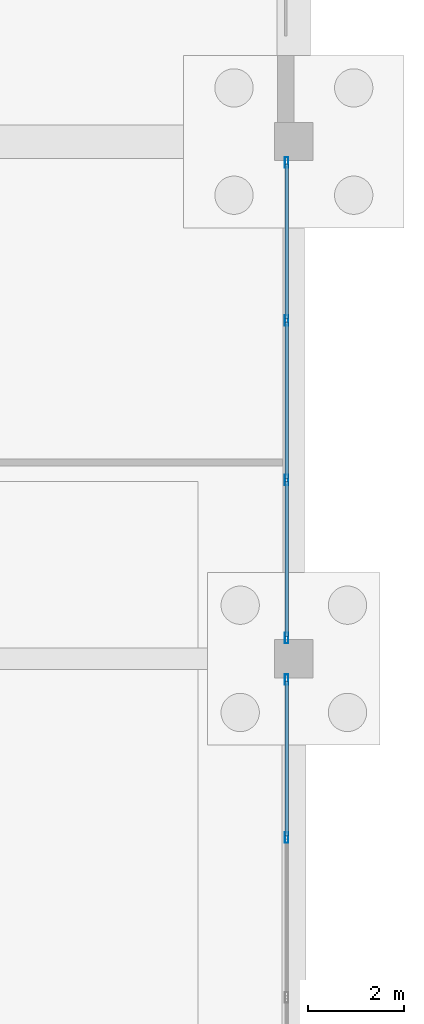
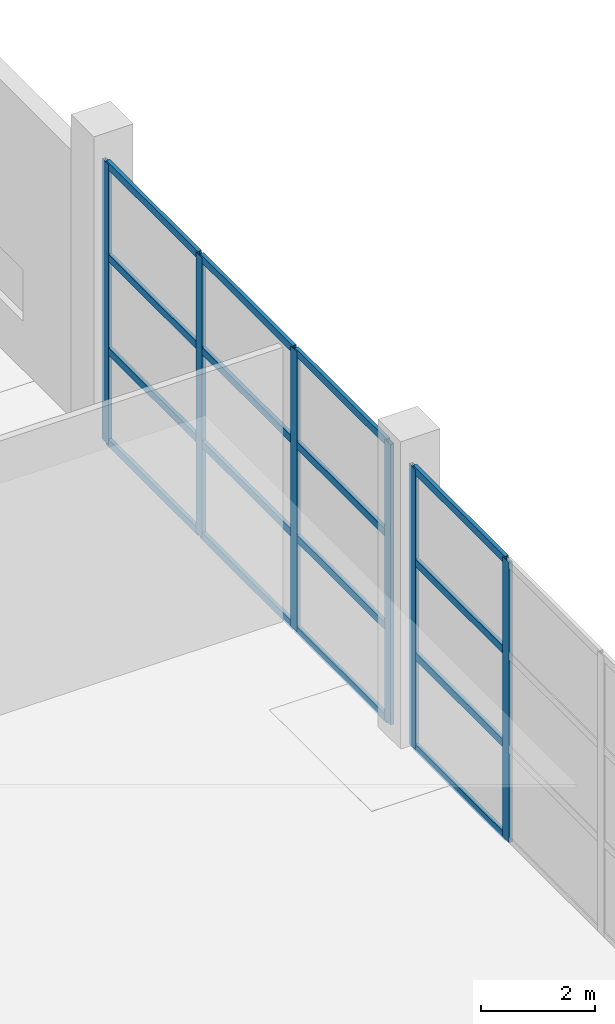
# One storey, part 73 of 115: 22 members, 2 elements without a shape of their own.
"""IFC4 building model written with IfcOpenShell, lengths in metres."""

from ifc_helpers import new_model, si_unit, direction, frame, origin, origin_2d, place, context, subcontext, project, spatial, hollow_rectangle, extrude, material, layer, layer_set, material_profile, profile_set, type_object, element, aggregate, save


model = new_model("IFC4")

# Units and contexts
model_context = context("Model", 3, precision=1e-05, world=origin(), true_north=direction((0.0, 1.0)))
body_context = subcontext(model_context, "Body", "Model", "MODEL_VIEW")
ifc_project = project(units=[si_unit("LENGTHUNIT", "METRE"), si_unit("AREAUNIT", "SQUARE_METRE"), si_unit("VOLUMEUNIT", "CUBIC_METRE"), si_unit("PLANEANGLEUNIT", "RADIAN"), si_unit("MASSUNIT", "GRAM", prefix="KILO")], contexts=[model_context])

# Site, building, storey
site_placement = place(None, origin())
site = spatial("IfcSite", under=ifc_project, at=site_placement, CompositionType="ELEMENT")
building_placement = place(site_placement, origin())
building = spatial("IfcBuilding", under=site, at=building_placement, Name="Tamarisk Ironworks Central Station", CompositionType="ELEMENT")
storey_placement = place(building_placement, origin())
storey = spatial("IfcBuildingStorey", under=building, at=storey_placement, Name="L00", CompositionType="ELEMENT", Elevation=0.0)

# Curtain wall, members
ifc_material = material(Name="Anodized aluminium alloy 6063-T6", Category="aluminium")
ifc_layer = layer(ifc_material, 0.179931640625)
ifc_layer_set = layer_set([ifc_layer], Name="Anodized aluminium alloy 6063-T6")
curtain_wall_type = type_object("IfcCurtainWallType", Name="CW-15", PredefinedType="USERDEFINED", material=ifc_layer_set)
curtain_wall_1_placement = place(storey_placement, origin())
curtain_wall_1 = element("IfcCurtainWall", 1, at=curtain_wall_1_placement, inside=storey, type_object=curtain_wall_type, Name="Operations L00 east facade curtain wall 090", ObjectType="GLAZED CURTAIN WALL", PredefinedType="USERDEFINED")
ifc_material_profile_1 = material_profile(ifc_material, hollow_rectangle(XDim=0.074951171875, YDim=0.219970703125, WallThickness=0.00390625, at=origin_2d()), Name="ALUM 220x75")
ifc_profile_set_1 = profile_set([ifc_material_profile_1], Name="Anodized aluminium alloy 6063-T6")
member_type_1 = type_object("IfcMemberType", Name="CWM-01", PredefinedType="MULLION", material=ifc_profile_set_1)
member_1_placement = place(storey_placement, frame((179.85009765625, 97.0673828125, 0.0), z_axis=(0.0, 0.0, 1.0), x_axis=(-1.0, 0.0, 0.0)))
member_1 = element("IfcMember", 2, at=member_1_placement, type_object=member_type_1, Name="CW15 mullion 3", PredefinedType="MULLION", context=body_context, shape_type="SweptSolid", body=[
    extrude(hollow_rectangle(XDim=0.074951171875, YDim=0.219970703125, WallThickness=0.00390625, at=origin_2d()), origin(), (0.0, 0.0, 1.0), 6.02001953125),
])
member_2_placement = place(storey_placement, frame((179.85009765625, 100.364501953125, 0.0), z_axis=(0.0, 0.0, 1.0), x_axis=(-1.0, 0.0, 0.0)))
member_2 = element("IfcMember", 3, at=member_2_placement, type_object=member_type_1, Name="CW15 mullion 4", PredefinedType="MULLION", context=body_context, shape_type="SweptSolid", body=[
    extrude(hollow_rectangle(XDim=0.074951171875, YDim=0.219970703125, WallThickness=0.00390625, at=origin_2d()), origin(), (0.0, 0.0, 1.0), 6.02001953125),
])

curtain_wall_2_placement = place(storey_placement, origin())
curtain_wall_2 = element("IfcCurtainWall", 4, at=curtain_wall_2_placement, inside=storey, type_object=curtain_wall_type, Name="Operations L00 east facade curtain wall 100", ObjectType="GLAZED CURTAIN WALL", PredefinedType="USERDEFINED")
member_3_placement = place(storey_placement, frame((179.85009765625, 101.235595703125, 0.0), z_axis=(0.0, 0.0, 1.0), x_axis=(-1.0, 0.0, 0.0)))
member_3 = element("IfcMember", 5, at=member_3_placement, type_object=member_type_1, Name="CW15 mullion 1", PredefinedType="MULLION", context=body_context, shape_type="SweptSolid", body=[
    extrude(hollow_rectangle(XDim=0.074951171875, YDim=0.219970703125, WallThickness=0.00390625, at=origin_2d()), origin(), (0.0, 0.0, 1.0), 6.02001953125),
])
member_4_placement = place(storey_placement, frame((179.85009765625, 104.53271484375, 0.0), z_axis=(0.0, 0.0, 1.0), x_axis=(-1.0, 0.0, 0.0)))
member_4 = element("IfcMember", 6, at=member_4_placement, type_object=member_type_1, Name="CW15 mullion 2", PredefinedType="MULLION", context=body_context, shape_type="SweptSolid", body=[
    extrude(hollow_rectangle(XDim=0.074951171875, YDim=0.219970703125, WallThickness=0.00390625, at=origin_2d()), origin(), (0.0, 0.0, 1.0), 6.02001953125),
])
member_5_placement = place(storey_placement, frame((179.85009765625, 107.867431640625, 0.0), z_axis=(0.0, 0.0, 1.0), x_axis=(-1.0, 0.0, 0.0)))
member_5 = element("IfcMember", 7, at=member_5_placement, type_object=member_type_1, Name="CW15 mullion 3", PredefinedType="MULLION", context=body_context, shape_type="SweptSolid", body=[
    extrude(hollow_rectangle(XDim=0.074951171875, YDim=0.219970703125, WallThickness=0.00390625, at=origin_2d()), origin(), (0.0, 0.0, 1.0), 6.02001953125),
])
member_6_placement = place(storey_placement, frame((179.85009765625, 111.16455078125, 0.0), z_axis=(0.0, 0.0, 1.0), x_axis=(-1.0, 0.0, 0.0)))
member_6 = element("IfcMember", 8, at=member_6_placement, type_object=member_type_1, Name="CW15 mullion 4", PredefinedType="MULLION", context=body_context, shape_type="SweptSolid", body=[
    extrude(hollow_rectangle(XDim=0.074951171875, YDim=0.219970703125, WallThickness=0.00390625, at=origin_2d()), origin(), (0.0, 0.0, 1.0), 6.02001953125),
])

# Member
ifc_material_profile_2 = material_profile(ifc_material, hollow_rectangle(XDim=0.074951171875, YDim=0.159912109375, WallThickness=0.00390625, at=origin_2d()), Name="ALUM 160x75")
ifc_profile_set_2 = profile_set([ifc_material_profile_2], Name="Anodized aluminium alloy 6063-T6")
member_type_2 = type_object("IfcMemberType", Name="CWT-01", PredefinedType="USERDEFINED", material=ifc_profile_set_2)
member_7_placement = place(storey_placement, frame((179.85009765625, 97.100830078125, 0.03759765625), z_axis=(0.0, 1.0, 0.0), x_axis=(-1.0, 0.0, 0.0)))
member_7 = element("IfcMember", 9, at=member_7_placement, type_object=member_type_2, Name="CW15 transom 3.1", ObjectType="TRANSOM", PredefinedType="USERDEFINED", context=body_context, shape_type="SweptSolid", body=[
    extrude(hollow_rectangle(XDim=0.074951171875, YDim=0.159912109375, WallThickness=0.00390625, at=origin_2d()), origin(), (0.0, 0.0, 1.0), 3.230224609375),
])

member_8_placement = place(storey_placement, frame((179.85009765625, 97.100830078125, 2.006591796875), z_axis=(0.0, 1.0, 0.0), x_axis=(-1.0, 0.0, 0.0)))
member_8 = element("IfcMember", 10, at=member_8_placement, type_object=member_type_2, Name="CW15 transom 3.2", ObjectType="TRANSOM", PredefinedType="USERDEFINED", context=body_context, shape_type="SweptSolid", body=[
    extrude(hollow_rectangle(XDim=0.074951171875, YDim=0.159912109375, WallThickness=0.00390625, at=origin_2d()), origin(), (0.0, 0.0, 1.0), 3.230224609375),
])

member_9_placement = place(storey_placement, frame((179.85009765625, 97.100830078125, 4.01318359375), z_axis=(0.0, 1.0, 0.0), x_axis=(-1.0, 0.0, 0.0)))
member_9 = element("IfcMember", 11, at=member_9_placement, type_object=member_type_2, Name="CW15 transom 3.3", ObjectType="TRANSOM", PredefinedType="USERDEFINED", context=body_context, shape_type="SweptSolid", body=[
    extrude(hollow_rectangle(XDim=0.074951171875, YDim=0.159912109375, WallThickness=0.00390625, at=origin_2d()), origin(), (0.0, 0.0, 1.0), 3.230224609375),
])

member_10_placement = place(storey_placement, frame((179.85009765625, 97.100830078125, 5.982421875), z_axis=(0.0, 1.0, 0.0), x_axis=(-1.0, 0.0, 0.0)))
member_10 = element("IfcMember", 12, at=member_10_placement, type_object=member_type_2, Name="CW15 transom 3.4", ObjectType="TRANSOM", PredefinedType="USERDEFINED", context=body_context, shape_type="SweptSolid", body=[
    extrude(hollow_rectangle(XDim=0.074951171875, YDim=0.159912109375, WallThickness=0.00390625, at=origin_2d()), origin(), (0.0, 0.0, 1.0), 3.230224609375),
])

aggregate(curtain_wall_1, [member_1, member_2, member_7, member_8, member_9, member_10])

member_11_placement = place(storey_placement, frame((179.85009765625, 101.26904296875, 0.03759765625), z_axis=(0.0, 1.0, 0.0), x_axis=(-1.0, 0.0, 0.0)))
member_11 = element("IfcMember", 13, at=member_11_placement, type_object=member_type_2, Name="CW15 transom 1.1", ObjectType="TRANSOM", PredefinedType="USERDEFINED", context=body_context, shape_type="SweptSolid", body=[
    extrude(hollow_rectangle(XDim=0.074951171875, YDim=0.159912109375, WallThickness=0.00390625, at=origin_2d()), origin(), (0.0, 0.0, 1.0), 3.230224609375),
])

member_12_placement = place(storey_placement, frame((179.85009765625, 101.26904296875, 2.006591796875), z_axis=(0.0, 1.0, 0.0), x_axis=(-1.0, 0.0, 0.0)))
member_12 = element("IfcMember", 14, at=member_12_placement, type_object=member_type_2, Name="CW15 transom 1.2", ObjectType="TRANSOM", PredefinedType="USERDEFINED", context=body_context, shape_type="SweptSolid", body=[
    extrude(hollow_rectangle(XDim=0.074951171875, YDim=0.159912109375, WallThickness=0.00390625, at=origin_2d()), origin(), (0.0, 0.0, 1.0), 3.230224609375),
])

member_13_placement = place(storey_placement, frame((179.85009765625, 101.26904296875, 4.01318359375), z_axis=(0.0, 1.0, 0.0), x_axis=(-1.0, 0.0, 0.0)))
member_13 = element("IfcMember", 15, at=member_13_placement, type_object=member_type_2, Name="CW15 transom 1.3", ObjectType="TRANSOM", PredefinedType="USERDEFINED", context=body_context, shape_type="SweptSolid", body=[
    extrude(hollow_rectangle(XDim=0.074951171875, YDim=0.159912109375, WallThickness=0.00390625, at=origin_2d()), origin(), (0.0, 0.0, 1.0), 3.230224609375),
])

member_14_placement = place(storey_placement, frame((179.85009765625, 101.26904296875, 5.982421875), z_axis=(0.0, 1.0, 0.0), x_axis=(-1.0, 0.0, 0.0)))
member_14 = element("IfcMember", 16, at=member_14_placement, type_object=member_type_2, Name="CW15 transom 1.4", ObjectType="TRANSOM", PredefinedType="USERDEFINED", context=body_context, shape_type="SweptSolid", body=[
    extrude(hollow_rectangle(XDim=0.074951171875, YDim=0.159912109375, WallThickness=0.00390625, at=origin_2d()), origin(), (0.0, 0.0, 1.0), 3.230224609375),
])

member_15_placement = place(storey_placement, frame((179.85009765625, 104.566162109375, 0.03759765625), z_axis=(0.0, 1.0, 0.0), x_axis=(-1.0, 0.0, 0.0)))
member_15 = element("IfcMember", 17, at=member_15_placement, type_object=member_type_2, Name="CW15 transom 2.1", ObjectType="TRANSOM", PredefinedType="USERDEFINED", context=body_context, shape_type="SweptSolid", body=[
    extrude(hollow_rectangle(XDim=0.074951171875, YDim=0.159912109375, WallThickness=0.00390625, at=origin_2d()), origin(), (0.0, 0.0, 1.0), 3.267578125),
])

member_16_placement = place(storey_placement, frame((179.85009765625, 104.566162109375, 2.006591796875), z_axis=(0.0, 1.0, 0.0), x_axis=(-1.0, 0.0, 0.0)))
member_16 = element("IfcMember", 18, at=member_16_placement, type_object=member_type_2, Name="CW15 transom 2.2", ObjectType="TRANSOM", PredefinedType="USERDEFINED", context=body_context, shape_type="SweptSolid", body=[
    extrude(hollow_rectangle(XDim=0.074951171875, YDim=0.159912109375, WallThickness=0.00390625, at=origin_2d()), origin(), (0.0, 0.0, 1.0), 3.267578125),
])

member_17_placement = place(storey_placement, frame((179.85009765625, 104.566162109375, 4.01318359375), z_axis=(0.0, 1.0, 0.0), x_axis=(-1.0, 0.0, 0.0)))
member_17 = element("IfcMember", 19, at=member_17_placement, type_object=member_type_2, Name="CW15 transom 2.3", ObjectType="TRANSOM", PredefinedType="USERDEFINED", context=body_context, shape_type="SweptSolid", body=[
    extrude(hollow_rectangle(XDim=0.074951171875, YDim=0.159912109375, WallThickness=0.00390625, at=origin_2d()), origin(), (0.0, 0.0, 1.0), 3.267578125),
])

member_18_placement = place(storey_placement, frame((179.85009765625, 104.566162109375, 5.982421875), z_axis=(0.0, 1.0, 0.0), x_axis=(-1.0, 0.0, 0.0)))
member_18 = element("IfcMember", 20, at=member_18_placement, type_object=member_type_2, Name="CW15 transom 2.4", ObjectType="TRANSOM", PredefinedType="USERDEFINED", context=body_context, shape_type="SweptSolid", body=[
    extrude(hollow_rectangle(XDim=0.074951171875, YDim=0.159912109375, WallThickness=0.00390625, at=origin_2d()), origin(), (0.0, 0.0, 1.0), 3.267578125),
])

member_19_placement = place(storey_placement, frame((179.85009765625, 107.90087890625, 0.03759765625), z_axis=(0.0, 1.0, 0.0), x_axis=(-1.0, 0.0, 0.0)))
member_19 = element("IfcMember", 21, at=member_19_placement, type_object=member_type_2, Name="CW15 transom 3.1", ObjectType="TRANSOM", PredefinedType="USERDEFINED", context=body_context, shape_type="SweptSolid", body=[
    extrude(hollow_rectangle(XDim=0.074951171875, YDim=0.159912109375, WallThickness=0.00390625, at=origin_2d()), origin(), (0.0, 0.0, 1.0), 3.230224609375),
])

member_20_placement = place(storey_placement, frame((179.85009765625, 107.90087890625, 2.006591796875), z_axis=(0.0, 1.0, 0.0), x_axis=(-1.0, 0.0, 0.0)))
member_20 = element("IfcMember", 22, at=member_20_placement, type_object=member_type_2, Name="CW15 transom 3.2", ObjectType="TRANSOM", PredefinedType="USERDEFINED", context=body_context, shape_type="SweptSolid", body=[
    extrude(hollow_rectangle(XDim=0.074951171875, YDim=0.159912109375, WallThickness=0.00390625, at=origin_2d()), origin(), (0.0, 0.0, 1.0), 3.230224609375),
])

member_21_placement = place(storey_placement, frame((179.85009765625, 107.90087890625, 4.01318359375), z_axis=(0.0, 1.0, 0.0), x_axis=(-1.0, 0.0, 0.0)))
member_21 = element("IfcMember", 23, at=member_21_placement, type_object=member_type_2, Name="CW15 transom 3.3", ObjectType="TRANSOM", PredefinedType="USERDEFINED", context=body_context, shape_type="SweptSolid", body=[
    extrude(hollow_rectangle(XDim=0.074951171875, YDim=0.159912109375, WallThickness=0.00390625, at=origin_2d()), origin(), (0.0, 0.0, 1.0), 3.230224609375),
])

member_22_placement = place(storey_placement, frame((179.85009765625, 107.90087890625, 5.982421875), z_axis=(0.0, 1.0, 0.0), x_axis=(-1.0, 0.0, 0.0)))
member_22 = element("IfcMember", 24, at=member_22_placement, type_object=member_type_2, Name="CW15 transom 3.4", ObjectType="TRANSOM", PredefinedType="USERDEFINED", context=body_context, shape_type="SweptSolid", body=[
    extrude(hollow_rectangle(XDim=0.074951171875, YDim=0.159912109375, WallThickness=0.00390625, at=origin_2d()), origin(), (0.0, 0.0, 1.0), 3.230224609375),
])

aggregate(curtain_wall_2, [member_3, member_4, member_5, member_6, member_11, member_12, member_13, member_14, member_15, member_16, member_17, member_18, member_19, member_20, member_21, member_22])

save(model, "model.ifc")
